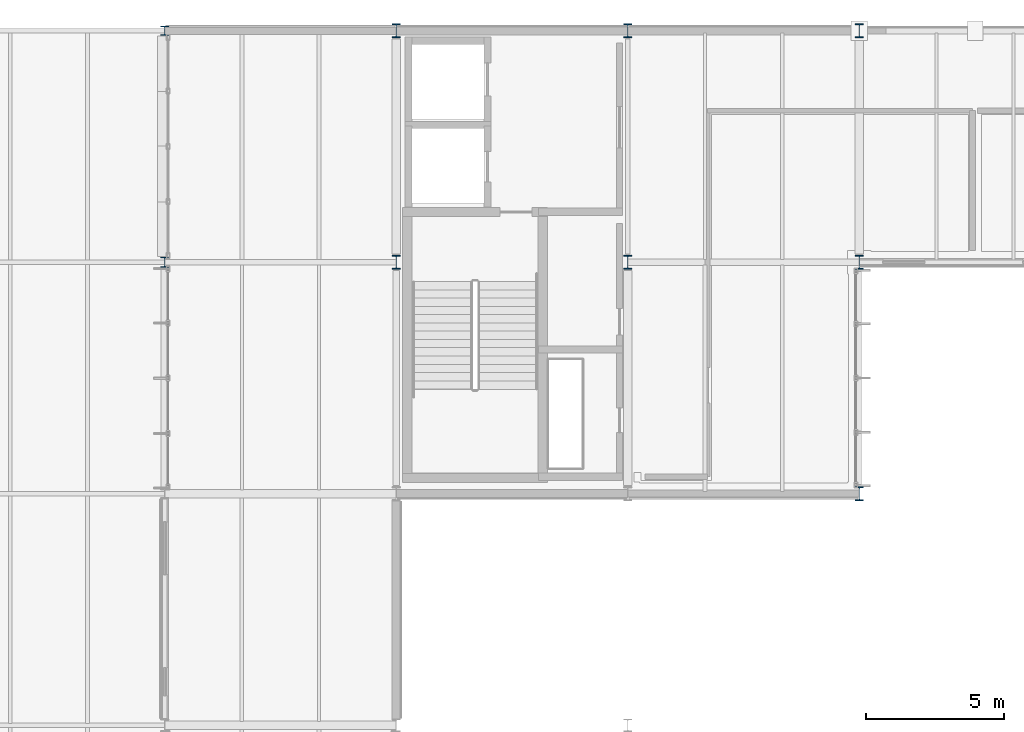
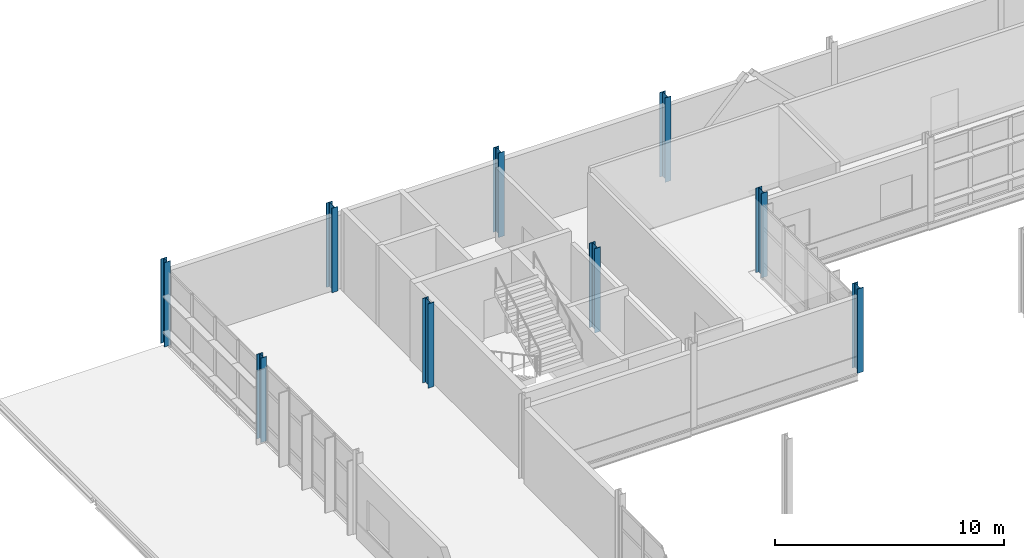
# One storey, part 10 of 129: 9 columns.
"""IFC4 building model written with IfcOpenShell, lengths in metres."""

from ifc_helpers import new_model, si_unit, direction, frame, origin, origin_2d, place, context, subcontext, project, spatial, i_section, extrude, material, material_profile, profile_set, type_object, element, save


model = new_model("IFC4")

# Units and contexts
model_context = context("Model", 3, precision=1e-05, world=origin(), true_north=direction((0.0, 1.0)))
body_context = subcontext(model_context, "Body", "Model", "MODEL_VIEW")
ifc_project = project(units=[si_unit("LENGTHUNIT", "METRE"), si_unit("AREAUNIT", "SQUARE_METRE"), si_unit("VOLUMEUNIT", "CUBIC_METRE"), si_unit("PLANEANGLEUNIT", "RADIAN"), si_unit("MASSUNIT", "GRAM", prefix="KILO")], contexts=[model_context])

# Site, building, storey
site_placement = place(None, origin())
site = spatial("IfcSite", under=ifc_project, at=site_placement, CompositionType="ELEMENT")
building_placement = place(site_placement, origin())
building = spatial("IfcBuilding", under=site, at=building_placement, Name="Mersafa Astral City Hall", CompositionType="ELEMENT")
storey_placement = place(building_placement, frame((0.0, 0.0, 5.39990234375)))
storey = spatial("IfcBuildingStorey", under=building, at=storey_placement, Name="L01", CompositionType="ELEMENT", Elevation=5.39990234375)

# Columns
ifc_material = material(Name="Steel S355", Category="steel")
ifc_material_profile_1 = material_profile(ifc_material, i_section(OverallWidth=0.300048828125, OverallDepth=0.340087890625, WebThickness=0.011962890625, FlangeThickness=0.021484375, FilletRadius=0.027099609375, at=origin_2d()), Name="HEB 340")
ifc_profile_set_1 = profile_set([ifc_material_profile_1], Name="Steel S355")
column_type_1 = type_object("IfcColumnType", Name="STR-COL-HEB340", PredefinedType="COLUMN", material=ifc_profile_set_1)
column_1_placement = place(storey_placement, frame((33.60009765625, 126.0, 0.0), z_axis=(0.0, 0.0, 1.0), x_axis=(1.0, 0.0, 0.0)))
element("IfcColumn", 1, at=column_1_placement, inside=storey, type_object=column_type_1, Name="L01 Structural column G-04-15", PredefinedType="COLUMN", context=body_context, shape_type="SweptSolid", body=[
    extrude(i_section(OverallWidth=0.300048828125, OverallDepth=0.340087890625, WebThickness=0.011962890625, FlangeThickness=0.021484375, FilletRadius=0.027099609375, at=origin_2d()), origin(), (0.0, 0.0, 1.0), 4.5),
])
ifc_material_profile_2 = material_profile(ifc_material, i_section(OverallWidth=0.300048828125, OverallDepth=0.360107421875, WebThickness=0.012451171875, FlangeThickness=0.0224609375, FilletRadius=0.027099609375, at=origin_2d()), Name="HEB 360")
ifc_profile_set_2 = profile_set([ifc_material_profile_2], Name="Steel S355")
column_type_2 = type_object("IfcColumnType", Name="STR-COL-HEB360", PredefinedType="COLUMN", material=ifc_profile_set_2)
column_2_placement = place(storey_placement, frame((33.60009765625, 117.60009765625, 0.0), z_axis=(0.0, 0.0, 1.0), x_axis=(1.0, 0.0, 0.0)))
element("IfcColumn", 2, at=column_2_placement, inside=storey, type_object=column_type_2, Name="L01 Structural column G-04-14", PredefinedType="COLUMN", context=body_context, shape_type="SweptSolid", body=[
    extrude(i_section(OverallWidth=0.300048828125, OverallDepth=0.360107421875, WebThickness=0.012451171875, FlangeThickness=0.0224609375, FilletRadius=0.027099609375, at=origin_2d()), origin(), (0.0, 0.0, 1.0), 4.5),
])
ifc_material_profile_3 = material_profile(ifc_material, i_section(OverallWidth=0.300048828125, OverallDepth=0.5, WebThickness=0.014404296875, FlangeThickness=0.028076171875, FilletRadius=0.027099609375, at=origin_2d()), Name="HEB 500")
ifc_profile_set_3 = profile_set([ifc_material_profile_3], Name="Steel S355")
column_type_3 = type_object("IfcColumnType", Name="STR-COL-HEB500", PredefinedType="COLUMN", material=ifc_profile_set_3)
for number, where, z_axis, x_axis, name in (
    (3, (42.0, 117.60009765625, 0.0), (0.0, 0.0, 1.0), (1.0, 0.0, 0.0), "L01 Structural column G-05-14"),
    (4, (42.0, 126.0, 0.0), (0.0, 0.0, 1.0), (1.0, 0.0, 0.0), "L01 Structural column G-05-15"),
    (5, (50.39990234375, 117.60009765625, 0.0), (0.0, 0.0, 1.0), (1.0, 0.0, 0.0), "L01 Structural column G-06-14"),
    (6, (50.39990234375, 126.0, 0.0), (0.0, 0.0, 1.0), (1.0, 0.0, 0.0), "L01 Structural column G-06-15"),
    (7, (58.800048828125, 109.199951171875, 0.0), (0.0, 0.0, 1.0), (1.0, 0.0, 0.0), "L01 Structural column G-07-13"),
    (8, (58.800048828125, 117.60009765625, 0.0), (0.0, 0.0, 1.0), (1.0, 0.0, 0.0), "L01 Structural column G-07-14"),
    (9, (58.800048828125, 126.0, 0.0), (0.0, 0.0, 1.0), (1.0, 0.0, 0.0), "L01 Structural column G-07-15"),
):
    element("IfcColumn", number, at=place(storey_placement, frame(where, z_axis=z_axis, x_axis=x_axis)), inside=storey, type_object=column_type_3, Name=name, PredefinedType="COLUMN", context=body_context, shape_type="SweptSolid", body=[
        extrude(i_section(OverallWidth=0.300048828125, OverallDepth=0.5, WebThickness=0.014404296875, FlangeThickness=0.028076171875, FilletRadius=0.027099609375, at=origin_2d()), origin(), (0.0, 0.0, 1.0), 4.5),
    ])

save(model, "model.ifc")
